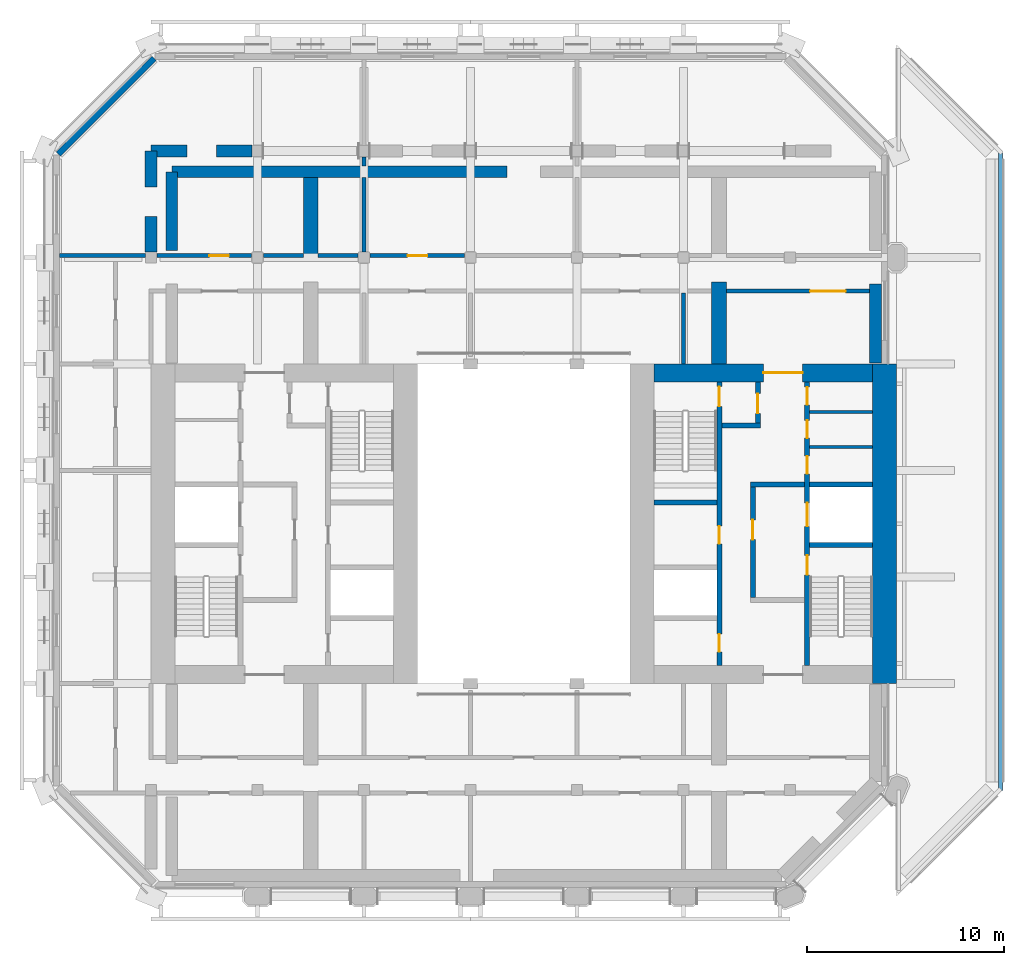
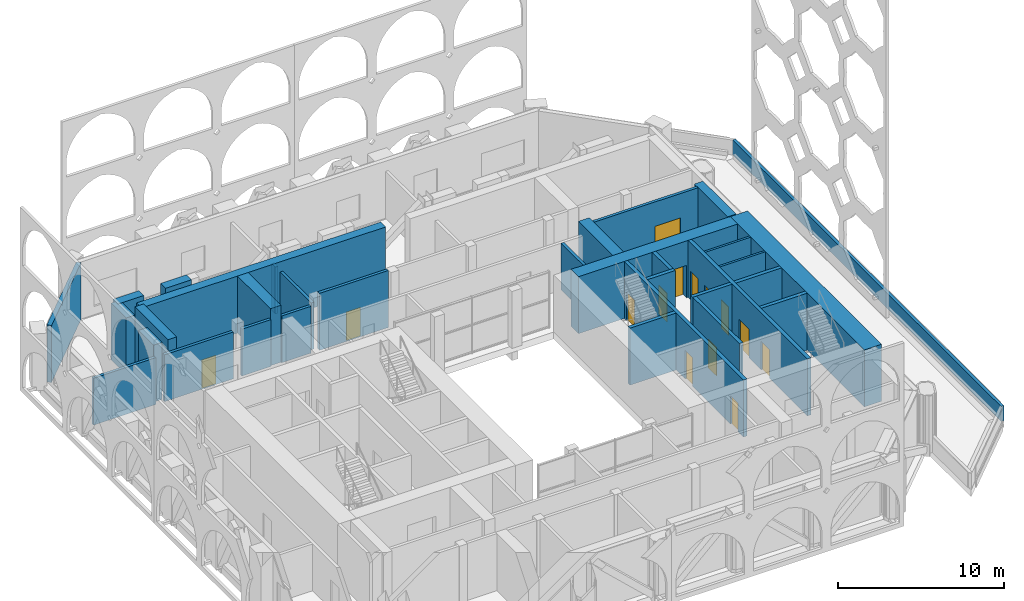
# One storey, part 9 of 16: 33 walls, 14 doors, 14 openings.
"""IFC4 building model written with IfcOpenShell, lengths in metres."""

from ifc_helpers import new_model, si_unit, direction, frame, frame_2d, origin, place, context, subcontext, project, spatial, polyline, rectangle, outline, extrude, material, layer, layer_set, type_object, element, fill, save


model = new_model("IFC4")

# Units and contexts
model_context = context("Model", 3, precision=1e-05, world=origin(), true_north=direction((0.0, 1.0)))
body_context = subcontext(model_context, "Body", "Model", "MODEL_VIEW")
ifc_project = project(units=[si_unit("LENGTHUNIT", "METRE"), si_unit("AREAUNIT", "SQUARE_METRE"), si_unit("VOLUMEUNIT", "CUBIC_METRE"), si_unit("PLANEANGLEUNIT", "RADIAN"), si_unit("MASSUNIT", "GRAM", prefix="KILO")], contexts=[model_context])

# Site, building, storey
site_placement = place(None, origin())
site = spatial("IfcSite", under=ifc_project, at=site_placement, CompositionType="ELEMENT")
building_placement = place(site_placement, origin())
building = spatial("IfcBuilding", under=site, at=building_placement, Name="Tabaq Tower and Sports Hall", CompositionType="ELEMENT")
storey_placement = place(building_placement, frame((0.0, 0.0, 308.199951171875)))
storey = spatial("IfcBuildingStorey", under=building, at=storey_placement, Name="L77", CompositionType="ELEMENT", Elevation=308.199951171875)

# Walls
ifc_material_1 = material(Name="Blockwork", Category="masonry")
ifc_layer_1 = layer(ifc_material_1, 0.14990234375)
ifc_layer_set_1 = layer_set([ifc_layer_1], Name="Core room partition 150 Blockwork")
wall_type_1 = type_object("IfcWallType", Name="Core room partition 150 Blockwork", PredefinedType="PARTITIONING", material=ifc_layer_set_1)
for number, where, z_axis, x_axis, name in (
    (1, (38.800048828125, 28.200927734375, 0.0), (0.0, 0.0, 1.0), (1.0, 0.0, 0.0), "Core room partition E L77"),
    (2, (38.800048828125, 29.97705078125, 0.0), (0.0, 0.0, 1.0), (1.0, 0.0, 0.0), "Core room partition E L77"),
):
    element("IfcWall", number, at=place(storey_placement, frame(where, z_axis=z_axis, x_axis=x_axis)), inside=storey, type_object=wall_type_1, Name=name, PredefinedType="PARTITIONING", context=body_context, shape_type="SweptSolid", body=[
        extrude(rectangle(XDim=3.199951171875, YDim=0.14990234375, at=frame_2d((1.60009765625, 0.0))), origin(), (0.0, 0.0, 1.0), 4.199951171875),
    ])
ifc_material_2 = material(Name="Concrete C40/50", Category="concrete")
ifc_layer_2 = layer(ifc_material_2, 1.199951171875)
ifc_layer_set_2 = layer_set([ifc_layer_2], Name="Core wall 1200 Concrete C40/50")
wall_type_2 = type_object("IfcWallType", Name="Core wall 1200 Concrete C40/50", PredefinedType="SOLIDWALL", material=ifc_layer_set_2)
wall_1_placement = place(storey_placement, frame((42.60009765625, 32.39990234375, 0.0), z_axis=(0.0, 0.0, 1.0), x_axis=(0.0, -1.0, 0.0)))
element("IfcWall", 3, at=wall_1_placement, inside=storey, type_object=wall_type_2, Name="Core wall E L77", PredefinedType="SOLIDWALL", context=body_context, shape_type="SweptSolid", body=[
    extrude(rectangle(XDim=16.199951171875, YDim=1.199951171875, at=frame_2d((8.10009765625, 0.0))), origin(), (0.0, 0.0, 1.0), 4.199951171875),
])

# Wall, opening, door
ifc_material_3 = material(Name="Concrete C40/50", Category="concrete")
ifc_layer_3 = layer(ifc_material_3, 0.89990234375)
ifc_layer_set_3 = layer_set([ifc_layer_3], Name="Core wall 900 Concrete C40/50")
wall_type_3 = type_object("IfcWallType", Name="Core wall 900 Concrete C40/50", PredefinedType="SOLIDWALL", material=ifc_layer_set_3)
wall_2_placement = place(storey_placement, frame((30.89990234375, 31.949951171875, 0.0), z_axis=(0.0, 0.0, 1.0), x_axis=(1.0, 0.0, 0.0)))
wall_2 = element("IfcWall", 4, at=wall_2_placement, inside=storey, type_object=wall_type_3, Name="Core wall E L77", PredefinedType="SOLIDWALL", context=body_context, shape_type="SweptSolid", body=[
    extrude(rectangle(XDim=11.10009765625, YDim=0.89990234375, at=frame_2d((5.550048828125, 0.0))), origin(), (0.0, 0.0, 1.0), 4.199951171875),
])
opening_1_placement = place(wall_2_placement, frame((5.550048828125, 0.0, 0.0)))
opening_1 = element("IfcOpeningElement", 5, at=opening_1_placement, cuts=wall_2, Name="Opening PD-EL77-02", PredefinedType="OPENING", context=body_context, shape_type="SweptSolid", body=[
    extrude(rectangle(XDim=2.0, YDim=2.39990234375, at=frame_2d((1.0, 1.199951171875))), frame((0.0, 0.449951171875, 0.0), z_axis=(0.0, -1.0, 0.0), x_axis=(1.0, 0.0, 0.0)), (0.0, 0.0, 1.0), 0.89990234375),
])
ifc_material_4 = material(Name="Steel fire door", Category="steel")
door_type_1 = type_object("IfcDoorType", Name="Core entrance door 2000", OperationType="DOUBLE_DOOR_SINGLE_SWING", PredefinedType="DOOR", material=ifc_material_4)
door_1_placement = place(opening_1_placement, origin())
door_1 = element("IfcDoor", 6, at=door_1_placement, inside=storey, type_object=door_type_1, Name="Core entrance north E L77", OperationType="DOUBLE_DOOR_SINGLE_SWING", OverallHeight=2.39990234375, OverallWidth=2.0, PredefinedType="DOOR", context=body_context, shape_type="SweptSolid", body=[
    extrude(rectangle(XDim=2.0, YDim=2.39990234375, at=frame_2d((1.0, 1.199951171875))), frame((0.0, 0.02490234375, 0.0), z_axis=(0.0, -1.0, 0.0), x_axis=(1.0, 0.0, 0.0)), (0.0, 0.0, 1.0), 0.050048828125),
])
fill(opening_1, door_1)

# Walls
ifc_material_5 = material(Name="Blockwork", Category="masonry")
ifc_layer_4 = layer(ifc_material_5, 0.199951171875)
ifc_layer_set_4 = layer_set([ifc_layer_4], Name="Fire compartment wall 200 Blockwork")
wall_type_4 = type_object("IfcWallType", Name="Fire compartment wall 200 Blockwork", PredefinedType="PARTITIONING", material=ifc_layer_set_4)
wall_3_placement = place(storey_placement, frame((16.199951171875, 42.905029296875, 0.0), z_axis=(0.0, 0.0, 1.0), x_axis=(0.0, -1.0, 0.0)))
element("IfcWall", 7, at=wall_3_placement, inside=storey, type_object=wall_type_4, Name="Compartment wall L77", PredefinedType="PARTITIONING", context=body_context, shape_type="SweptSolid", body=[
    extrude(rectangle(XDim=0.4541015625, YDim=0.199951171875, at=frame_2d((0.22705078125, 0.0))), origin(), (0.0, 0.0, 1.0), 3.449951171875),
])
wall_4_placement = place(storey_placement, frame((16.199951171875, 41.84912109375, 0.0), z_axis=(0.0, 0.0, 1.0), x_axis=(0.0, -1.0, 0.0)))
element("IfcWall", 8, at=wall_4_placement, inside=storey, type_object=wall_type_4, Name="Compartment wall L77", PredefinedType="PARTITIONING", context=body_context, shape_type="SweptSolid", body=[
    extrude(rectangle(XDim=3.754150390625, YDim=0.199951171875, at=frame_2d((1.876953125, 0.0))), origin(), (0.0, 0.0, 1.0), 3.449951171875),
])

# Wall, opening, door
wall_5_placement = place(storey_placement, frame((16.4951171875, 37.89990234375, 0.0), z_axis=(0.0, 0.0, 1.0), x_axis=(1.0, 0.0, 0.0)))
wall_5 = element("IfcWall", 9, at=wall_5_placement, inside=storey, type_object=wall_type_4, Name="Compartment wall L77", PredefinedType="PARTITIONING", context=body_context, shape_type="SweptSolid", body=[
    extrude(rectangle(XDim=4.809814453125, YDim=0.199951171875, at=frame_2d((2.40478515625, 0.0))), origin(), (0.0, 0.0, 1.0), 4.199951171875),
])
opening_2_placement = place(wall_5_placement, frame((1.922119140625, 0.0, 0.0)))
opening_2 = element("IfcOpeningElement", 10, at=opening_2_placement, cuts=wall_5, Name="Opening L77-003", PredefinedType="OPENING", context=body_context, shape_type="SweptSolid", body=[
    extrude(rectangle(XDim=1.0, YDim=2.10009765625, at=frame_2d((0.5, 1.050048828125))), frame((0.0, 0.10009765625, 0.0), z_axis=(0.0, -1.0, 0.0), x_axis=(1.0, 0.0, 0.0)), (0.0, 0.0, 1.0), 0.199951171875),
])
ifc_material_6 = material(Name="Steel fire door", Category="steel")
door_type_2 = type_object("IfcDoorType", Name="Plant room door 1000 left hand", OperationType="SINGLE_SWING_LEFT", PredefinedType="DOOR", material=ifc_material_6)
door_2_placement = place(opening_2_placement, origin())
door_2 = element("IfcDoor", 11, at=door_2_placement, inside=storey, type_object=door_type_2, Name="Plant room door L77-003", OperationType="SINGLE_SWING_LEFT", OverallHeight=2.10009765625, OverallWidth=1.0, PredefinedType="DOOR", context=body_context, shape_type="SweptSolid", body=[
    extrude(rectangle(XDim=1.0, YDim=2.10009765625, at=frame_2d((0.5, 1.050048828125))), frame((0.0, 0.02490234375, 0.0), z_axis=(0.0, -1.0, 0.0), x_axis=(1.0, 0.0, 0.0)), (0.0, 0.0, 1.0), 0.050048828125),
])
fill(opening_2, door_2)

# Wall
wall_6_placement = place(storey_placement, frame((5.10498046875, 37.89990234375, 0.0), z_axis=(0.0, 0.0, 1.0), x_axis=(-1.0, 0.0, 0.0)))
element("IfcWall", 12, at=wall_6_placement, inside=storey, type_object=wall_type_4, Name="Compartment wall L77", PredefinedType="PARTITIONING", context=body_context, shape_type="SweptSolid", body=[
    extrude(rectangle(XDim=4.35400390625, YDim=0.199951171875, at=frame_2d((2.177001953125, 0.0))), origin(), (0.0, 0.0, 1.0), 3.449951171875),
])

# Wall, opening, door
wall_7_placement = place(storey_placement, frame((5.695068359375, 37.89990234375, 0.0), z_axis=(0.0, 0.0, 1.0), x_axis=(1.0, 0.0, 0.0)))
wall_7 = element("IfcWall", 13, at=wall_7_placement, inside=storey, type_object=wall_type_4, Name="Compartment wall L77", PredefinedType="PARTITIONING", context=body_context, shape_type="SweptSolid", body=[
    extrude(rectangle(XDim=4.809814453125, YDim=0.199951171875, at=frame_2d((2.40478515625, 0.0))), origin(), (0.0, 0.0, 1.0), 3.449951171875),
])
opening_3_placement = place(wall_7_placement, frame((2.655029296875, 0.0, 0.0)))
opening_3 = element("IfcOpeningElement", 14, at=opening_3_placement, cuts=wall_7, Name="Opening L77-004", PredefinedType="OPENING", context=body_context, shape_type="SweptSolid", body=[
    extrude(rectangle(XDim=1.0, YDim=2.10009765625, at=frame_2d((0.5, 1.050048828125))), frame((0.0, 0.10009765625, 0.0), z_axis=(0.0, -1.0, 0.0), x_axis=(1.0, 0.0, 0.0)), (0.0, 0.0, 1.0), 0.199951171875),
])
door_3_placement = place(opening_3_placement, origin())
door_3 = element("IfcDoor", 15, at=door_3_placement, inside=storey, type_object=door_type_2, Name="Plant room door L77-004", OperationType="SINGLE_SWING_LEFT", OverallHeight=2.10009765625, OverallWidth=1.0, PredefinedType="DOOR", context=body_context, shape_type="SweptSolid", body=[
    extrude(rectangle(XDim=1.0, YDim=2.10009765625, at=frame_2d((0.5, 1.050048828125))), frame((0.0, 0.02490234375, 0.0), z_axis=(0.0, -1.0, 0.0), x_axis=(1.0, 0.0, 0.0)), (0.0, 0.0, 1.0), 0.050048828125),
])
fill(opening_3, door_3)

# Walls
for number, where, z_axis, x_axis, name in (
    (16, (11.094970703125, 37.89990234375, 0.0), (0.0, 0.0, 1.0), (1.0, 0.0, 0.0), "Compartment wall L77"),
    (17, (13.8759765625, 37.89990234375, 0.0), (0.0, 0.0, 1.0), (1.0, 0.0, 0.0), "Compartment wall L77"),
):
    element("IfcWall", number, at=place(storey_placement, frame(where, z_axis=z_axis, x_axis=x_axis)), inside=storey, type_object=wall_type_4, Name=name, PredefinedType="PARTITIONING", context=body_context, shape_type="SweptSolid", body=[
        extrude(rectangle(XDim=2.029052734375, YDim=0.199951171875, at=frame_2d((1.0146484375, 0.0))), origin(), (0.0, 0.0, 1.0), 3.449951171875),
    ])
wall_8_placement = place(storey_placement, frame((32.39990234375, 32.39990234375, 0.0), z_axis=(0.0, 0.0, 1.0), x_axis=(0.0, 1.0, 0.0)))
element("IfcWall", 18, at=wall_8_placement, inside=storey, type_object=wall_type_4, Name="Compartment wall L77", PredefinedType="PARTITIONING", context=body_context, shape_type="SweptSolid", body=[
    extrude(rectangle(XDim=3.60009765625, YDim=0.199951171875, at=frame_2d((1.800048828125, 0.0))), origin(), (0.0, 0.0, 1.0), 3.449951171875),
])

# Wall, opening, door
wall_9_placement = place(storey_placement, frame((41.84912109375, 36.10009765625, 0.0), z_axis=(0.0, 0.0, 1.0), x_axis=(-1.0, 0.0, 0.0)))
wall_9 = element("IfcWall", 19, at=wall_9_placement, inside=storey, type_object=wall_type_4, Name="Compartment wall L77", PredefinedType="PARTITIONING", context=body_context, shape_type="SweptSolid", body=[
    extrude(rectangle(XDim=7.273193359375, YDim=0.199951171875, at=frame_2d((3.63671875, 0.0))), origin(), (0.0, 0.0, 1.0), 4.199951171875),
])
opening_4_placement = place(wall_9_placement, frame((1.220947265625, 0.0, 0.0)))
opening_4 = element("IfcOpeningElement", 20, at=opening_4_placement, cuts=wall_9, Name="Opening L77-017", PredefinedType="OPENING", context=body_context, shape_type="SweptSolid", body=[
    extrude(rectangle(XDim=1.800048828125, YDim=2.39990234375, at=frame_2d((0.89990234375, 1.199951171875))), frame((0.0, 0.10009765625, 0.0), z_axis=(0.0, -1.0, 0.0), x_axis=(1.0, 0.0, 0.0)), (0.0, 0.0, 1.0), 0.199951171875),
])
ifc_material_7 = material(Name="Steel fire door", Category="steel")
door_type_3 = type_object("IfcDoorType", Name="Plant room door 1800", OperationType="DOUBLE_DOOR_SINGLE_SWING", PredefinedType="DOOR", material=ifc_material_7)
door_4_placement = place(opening_4_placement, origin())
door_4 = element("IfcDoor", 21, at=door_4_placement, inside=storey, type_object=door_type_3, Name="Plant room door L77-017", OperationType="DOUBLE_DOOR_SINGLE_SWING", OverallHeight=2.39990234375, OverallWidth=1.800048828125, PredefinedType="DOOR", context=body_context, shape_type="SweptSolid", body=[
    extrude(rectangle(XDim=1.800048828125, YDim=2.39990234375, at=frame_2d((0.89990234375, 1.199951171875))), frame((0.0, 0.02490234375, 0.0), z_axis=(0.0, -1.0, 0.0), x_axis=(1.0, 0.0, 0.0)), (0.0, 0.0, 1.0), 0.050048828125),
])
fill(opening_4, door_4)

# Walls
ifc_material_8 = material(Name="Concrete C40/50", Category="concrete")
ifc_layer_5 = layer(ifc_material_8, 0.60009765625)
ifc_layer_set_5 = layer_set([ifc_layer_5], Name="RC BELT WALL 600 C40/50")
wall_type_5 = type_object("IfcWallType", Name="RC BELT WALL 600 C40/50", PredefinedType="SHEAR", material=ifc_layer_set_5)
wall_10_placement = place(storey_placement, frame((6.449951171875, 38.14990234375, 0.0), z_axis=(0.0, 0.0, 1.0), x_axis=(0.0, 1.0, 0.0)))
element("IfcWall", 22, at=wall_10_placement, inside=storey, type_object=wall_type_5, Name="Belt Wall L77 4", PredefinedType="SHEAR", context=body_context, shape_type="SweptSolid", body=[
    extrude(rectangle(XDim=4.0, YDim=0.60009765625, at=frame_2d((2.0, 0.0))), origin(), (0.0, 0.0, 1.0), 4.199951171875),
])
wall_11_placement = place(storey_placement, frame((6.449951171875, 42.14990234375, 0.0), z_axis=(0.0, 0.0, 1.0), x_axis=(1.0, 0.0, 0.0)))
element("IfcWall", 23, at=wall_11_placement, inside=storey, type_object=wall_type_5, Name="Belt Wall L77 5", PredefinedType="SHEAR", context=body_context, shape_type="SweptSolid", body=[
    extrude(rectangle(XDim=17.0, YDim=0.60009765625, at=frame_2d((8.5, 0.0))), origin(), (0.0, 0.0, 1.0), 4.199951171875),
])
wall_12_placement = place(storey_placement, frame((42.14990234375, 36.449951171875, 0.0), z_axis=(0.0, 0.0, 1.0), x_axis=(0.0, -1.0, 0.0)))
element("IfcWall", 24, at=wall_12_placement, inside=storey, type_object=wall_type_5, Name="Belt Wall L77 8", PredefinedType="SHEAR", context=body_context, shape_type="SweptSolid", body=[
    extrude(rectangle(XDim=4.0, YDim=0.60009765625, at=frame_2d((2.0, 0.0))), origin(), (0.0, 0.0, 1.0), 4.199951171875),
])
ifc_material_9 = material(Name="Concrete C40/50", Category="concrete")
ifc_layer_6 = layer(ifc_material_9, 0.75)
ifc_layer_set_6 = layer_set([ifc_layer_6], Name="RC OUTRIGGER WALL 750 C40/50")
wall_type_6 = type_object("IfcWallType", Name="RC OUTRIGGER WALL 750 C40/50", PredefinedType="SHEAR", material=ifc_layer_set_6)
wall_13_placement = place(storey_placement, frame((13.5, 37.875, 0.0), z_axis=(0.0, 0.0, 1.0), x_axis=(0.0, 1.0, 0.0)))
element("IfcWall", 25, at=wall_13_placement, inside=storey, type_object=wall_type_6, Name="Outrigger Wall L77 4", PredefinedType="SHEAR", context=body_context, shape_type="SweptSolid", body=[
    extrude(rectangle(XDim=3.97509765625, YDim=0.75, at=frame_2d((1.987548828125, 0.0))), origin(), (0.0, 0.0, 1.0), 4.199951171875),
])
wall_14_placement = place(storey_placement, frame((34.199951171875, 32.39990234375, 0.0), z_axis=(0.0, 0.0, 1.0), x_axis=(0.0, 1.0, 0.0)))
element("IfcWall", 26, at=wall_14_placement, inside=storey, type_object=wall_type_6, Name="Outrigger Wall L77 7", PredefinedType="SHEAR", context=body_context, shape_type="SweptSolid", body=[
    extrude(rectangle(XDim=4.150146484375, YDim=0.75, at=frame_2d((2.0751953125, 0.0))), origin(), (0.0, 0.0, 1.0), 4.199951171875),
])
ifc_material_10 = material(Name="Concrete C40/50", Category="concrete")
ifc_layer_7 = layer(ifc_material_10, 0.60009765625)
ifc_layer_set_7 = layer_set([ifc_layer_7], Name="RC TRANSFER WALL 600 C40/50")
wall_type_7 = type_object("IfcWallType", Name="RC TRANSFER WALL 600 C40/50", PredefinedType="SHEAR", material=ifc_layer_set_7)
for number, where, z_axis, x_axis, name in (
    (27, (5.39990234375, 38.074951171875, 0.0), (0.0, 0.0, 1.0), (0.0, 1.0, 0.0), "Transfer Wall L77 West 2"),
    (28, (5.39990234375, 41.387451171875, 0.0), (0.0, 0.0, 1.0), (0.0, 1.0, 0.0), "Transfer Wall L77 West 3"),
    (29, (5.39990234375, 43.199951171875, 0.0), (0.0, 0.0, 1.0), (1.0, 0.0, 0.0), "Transfer Wall L77 North 4"),
    (30, (8.71240234375, 43.199951171875, 0.0), (0.0, 0.0, 1.0), (1.0, 0.0, 0.0), "Transfer Wall L77 North 5"),
):
    element("IfcWall", number, at=place(storey_placement, frame(where, z_axis=z_axis, x_axis=x_axis)), inside=storey, type_object=wall_type_7, Name=name, PredefinedType="SHEAR", context=body_context, shape_type="SweptSolid", body=[
        extrude(rectangle(XDim=1.8125, YDim=0.60009765625, at=frame_2d((0.90625, 0.0))), origin(), (0.0, 0.0, 1.0), 4.199951171875),
    ])

# Wall, openings, doors
ifc_material_11 = material(Name="Concrete C40/50", Category="concrete")
ifc_layer_8 = layer(ifc_material_11, 0.25)
ifc_layer_set_8 = layer_set([ifc_layer_8], Name="Shaft and stair wall 250 Concrete C40/50")
wall_type_8 = type_object("IfcWallType", Name="Shaft and stair wall 250 Concrete C40/50", PredefinedType="SOLIDWALL", material=ifc_layer_set_8)
wall_15_placement = place(storey_placement, frame((38.675048828125, 17.10009765625, 0.0), z_axis=(0.0, 0.0, 1.0), x_axis=(0.0, 1.0, 0.0)))
wall_15 = element("IfcWall", 31, at=wall_15_placement, inside=storey, type_object=wall_type_8, Name="Shaft wall E L77", PredefinedType="SOLIDWALL", context=body_context, shape_type="SweptSolid", body=[
    extrude(rectangle(XDim=14.39990234375, YDim=0.25, at=frame_2d((7.199951171875, 0.0))), origin(), (0.0, 0.0, 1.0), 4.199951171875),
])
opening_5_placement = place(wall_15_placement, frame((4.60009765625, 0.0, 0.0)))
opening_5 = element("IfcOpeningElement", 32, at=opening_5_placement, cuts=wall_15, Name="Opening SD-EL77-03", PredefinedType="OPENING", context=body_context, shape_type="SweptSolid", body=[
    extrude(rectangle(XDim=1.0, YDim=2.10009765625, at=frame_2d((0.5, 1.050048828125))), frame((0.0, 0.125, 0.0), z_axis=(0.0, -1.0, 0.0), x_axis=(1.0, 0.0, 0.0)), (0.0, 0.0, 1.0), 0.25),
])
opening_6_placement = place(wall_15_placement, frame((7.0625, 0.0, 0.0)))
opening_6 = element("IfcOpeningElement", 33, at=opening_6_placement, cuts=wall_15, Name="Opening LD-FF2-L77", PredefinedType="OPENING", context=body_context, shape_type="SweptSolid", body=[
    extrude(rectangle(XDim=1.199951171875, YDim=2.10009765625, at=frame_2d((0.60009765625, 1.050048828125))), frame((0.0, 0.125, 0.0), z_axis=(0.0, -1.0, 0.0), x_axis=(1.0, 0.0, 0.0)), (0.0, 0.0, 1.0), 0.25),
])
opening_7_placement = place(wall_15_placement, frame((9.7255859375, 0.0, 0.0)))
opening_7 = element("IfcOpeningElement", 34, at=opening_7_placement, cuts=wall_15, Name="Opening RD-EL77-08", PredefinedType="OPENING", context=body_context, shape_type="SweptSolid", body=[
    extrude(rectangle(XDim=0.89990234375, YDim=2.10009765625, at=frame_2d((0.449951171875, 1.050048828125))), frame((0.0, 0.125, 0.0), z_axis=(0.0, -1.0, 0.0), x_axis=(1.0, 0.0, 0.0)), (0.0, 0.0, 1.0), 0.25),
])
opening_8_placement = place(wall_15_placement, frame((11.5390625, 0.0, 0.0)))
opening_8 = element("IfcOpeningElement", 35, at=opening_8_placement, cuts=wall_15, Name="Opening RD-EL77-09", PredefinedType="OPENING", context=body_context, shape_type="SweptSolid", body=[
    extrude(rectangle(XDim=0.89990234375, YDim=2.10009765625, at=frame_2d((0.449951171875, 1.050048828125))), frame((0.0, 0.125, 0.0), z_axis=(0.0, -1.0, 0.0), x_axis=(1.0, 0.0, 0.0)), (0.0, 0.0, 1.0), 0.25),
])
opening_9_placement = place(wall_15_placement, frame((13.22607421875, 0.0, 0.0)))
opening_9 = element("IfcOpeningElement", 36, at=opening_9_placement, cuts=wall_15, Name="Opening RD-EL77-10", PredefinedType="OPENING", context=body_context, shape_type="SweptSolid", body=[
    extrude(rectangle(XDim=0.89990234375, YDim=2.10009765625, at=frame_2d((0.449951171875, 1.050048828125))), frame((0.0, 0.125, 0.0), z_axis=(0.0, -1.0, 0.0), x_axis=(1.0, 0.0, 0.0)), (0.0, 0.0, 1.0), 0.25),
])
ifc_material_12 = material(Name="Steel fire door", Category="steel")
door_type_4 = type_object("IfcDoorType", Name="Core room door 900", OperationType="SINGLE_SWING_LEFT", PredefinedType="DOOR", material=ifc_material_12)
door_5_placement = place(opening_7_placement, origin())
door_5 = element("IfcDoor", 37, at=door_5_placement, inside=storey, type_object=door_type_4, Name="Door Plant Room E L77", OperationType="SINGLE_SWING_LEFT", OverallHeight=2.10009765625, OverallWidth=0.89990234375, PredefinedType="DOOR", context=body_context, shape_type="SweptSolid", body=[
    extrude(rectangle(XDim=0.89990234375, YDim=2.10009765625, at=frame_2d((0.449951171875, 1.050048828125))), frame((0.0, 0.02490234375, 0.0), z_axis=(0.0, -1.0, 0.0), x_axis=(1.0, 0.0, 0.0)), (0.0, 0.0, 1.0), 0.050048828125),
])
fill(opening_7, door_5)
door_6_placement = place(opening_8_placement, origin())
door_6 = element("IfcDoor", 38, at=door_6_placement, inside=storey, type_object=door_type_4, Name="Door Plant Control Room E L77", OperationType="SINGLE_SWING_LEFT", OverallHeight=2.10009765625, OverallWidth=0.89990234375, PredefinedType="DOOR", context=body_context, shape_type="SweptSolid", body=[
    extrude(rectangle(XDim=0.89990234375, YDim=2.10009765625, at=frame_2d((0.449951171875, 1.050048828125))), frame((0.0, 0.02490234375, 0.0), z_axis=(0.0, -1.0, 0.0), x_axis=(1.0, 0.0, 0.0)), (0.0, 0.0, 1.0), 0.050048828125),
])
fill(opening_8, door_6)
door_7_placement = place(opening_9_placement, origin())
door_7 = element("IfcDoor", 39, at=door_7_placement, inside=storey, type_object=door_type_4, Name="Door Riser Room E L77", OperationType="SINGLE_SWING_LEFT", OverallHeight=2.10009765625, OverallWidth=0.89990234375, PredefinedType="DOOR", context=body_context, shape_type="SweptSolid", body=[
    extrude(rectangle(XDim=0.89990234375, YDim=2.10009765625, at=frame_2d((0.449951171875, 1.050048828125))), frame((0.0, 0.02490234375, 0.0), z_axis=(0.0, -1.0, 0.0), x_axis=(1.0, 0.0, 0.0)), (0.0, 0.0, 1.0), 0.050048828125),
])
fill(opening_9, door_7)
ifc_material_13 = material(Name="Stainless steel", Category="steel")
door_type_5 = type_object("IfcDoorType", Name="Lift landing door 1200", OperationType="DOUBLE_DOOR_SLIDING", PredefinedType="DOOR", material=ifc_material_13)
door_8_placement = place(opening_6_placement, origin())
door_8 = element("IfcDoor", 40, at=door_8_placement, inside=storey, type_object=door_type_5, Name="Lift landing door FF2 E L77", OperationType="DOUBLE_DOOR_SLIDING", OverallHeight=2.10009765625, OverallWidth=1.199951171875, PredefinedType="DOOR", context=body_context, shape_type="SweptSolid", body=[
    extrude(rectangle(XDim=1.199951171875, YDim=2.10009765625, at=frame_2d((0.60009765625, 1.050048828125))), frame((0.0, 0.02490234375, 0.0), z_axis=(0.0, -1.0, 0.0), x_axis=(1.0, 0.0, 0.0)), (0.0, 0.0, 1.0), 0.050048828125),
])
fill(opening_6, door_8)
ifc_material_14 = material(Name="Steel fire door", Category="steel")
door_type_6 = type_object("IfcDoorType", Name="Stair door 1000", OperationType="SINGLE_SWING_LEFT", PredefinedType="DOOR", material=ifc_material_14)
door_9_placement = place(opening_5_placement, origin())
door_9 = element("IfcDoor", 41, at=door_9_placement, inside=storey, type_object=door_type_6, Name="Stair door ST3 E L77", OperationType="SINGLE_SWING_LEFT", OverallHeight=2.10009765625, OverallWidth=1.0, PredefinedType="DOOR", context=body_context, shape_type="SweptSolid", body=[
    extrude(rectangle(XDim=1.0, YDim=2.10009765625, at=frame_2d((0.5, 1.050048828125))), frame((0.0, 0.02490234375, 0.0), z_axis=(0.0, -1.0, 0.0), x_axis=(1.0, 0.0, 0.0)), (0.0, 0.0, 1.0), 0.050048828125),
])
fill(opening_5, door_9)

wall_16_placement = place(storey_placement, frame((34.22509765625, 17.10009765625, 0.0), z_axis=(0.0, 0.0, 1.0), x_axis=(0.0, 1.0, 0.0)))
wall_16 = element("IfcWall", 42, at=wall_16_placement, inside=storey, type_object=wall_type_8, Name="Shaft wall E L77", PredefinedType="SOLIDWALL", context=body_context, shape_type="SweptSolid", body=[
    extrude(rectangle(XDim=14.39990234375, YDim=0.25, at=frame_2d((7.199951171875, 0.0))), origin(), (0.0, 0.0, 1.0), 4.199951171875),
])
opening_10_placement = place(wall_16_placement, frame((13.14990234375, 0.0, 0.0)))
opening_10 = element("IfcOpeningElement", 43, at=opening_10_placement, cuts=wall_16, Name="Opening SD-EL77-05", PredefinedType="OPENING", context=body_context, shape_type="SweptSolid", body=[
    extrude(rectangle(XDim=1.0, YDim=2.10009765625, at=frame_2d((0.5, 1.050048828125))), frame((0.0, 0.125, 0.0), z_axis=(0.0, -1.0, 0.0), x_axis=(1.0, 0.0, 0.0)), (0.0, 0.0, 1.0), 0.25),
])
opening_11_placement = place(wall_16_placement, frame((0.699951171875, 0.0, 0.0)))
opening_11 = element("IfcOpeningElement", 44, at=opening_11_placement, cuts=wall_16, Name="Opening RD-EL77-11", PredefinedType="OPENING", context=body_context, shape_type="SweptSolid", body=[
    extrude(rectangle(XDim=0.89990234375, YDim=2.10009765625, at=frame_2d((0.449951171875, 1.050048828125))), frame((0.0, 0.125, 0.0), z_axis=(0.0, -1.0, 0.0), x_axis=(1.0, 0.0, 0.0)), (0.0, 0.0, 1.0), 0.25),
])
opening_12_placement = place(wall_16_placement, frame((6.175048828125, 0.0, 0.0)))
opening_12 = element("IfcOpeningElement", 45, at=opening_12_placement, cuts=wall_16, Name="Opening RD-EL77-12", PredefinedType="OPENING", context=body_context, shape_type="SweptSolid", body=[
    extrude(rectangle(XDim=0.89990234375, YDim=2.10009765625, at=frame_2d((0.449951171875, 1.050048828125))), frame((0.0, 0.125, 0.0), z_axis=(0.0, -1.0, 0.0), x_axis=(1.0, 0.0, 0.0)), (0.0, 0.0, 1.0), 0.25),
])
door_10_placement = place(opening_11_placement, origin())
door_10 = element("IfcDoor", 46, at=door_10_placement, inside=storey, type_object=door_type_4, Name="Door Electrical Riser Room E L77", OperationType="SINGLE_SWING_LEFT", OverallHeight=2.10009765625, OverallWidth=0.89990234375, PredefinedType="DOOR", context=body_context, shape_type="SweptSolid", body=[
    extrude(rectangle(XDim=0.89990234375, YDim=2.10009765625, at=frame_2d((0.449951171875, 1.050048828125))), frame((0.0, 0.02490234375, 0.0), z_axis=(0.0, -1.0, 0.0), x_axis=(1.0, 0.0, 0.0)), (0.0, 0.0, 1.0), 0.050048828125),
])
fill(opening_11, door_10)
door_11_placement = place(opening_12_placement, origin())
door_11 = element("IfcDoor", 47, at=door_11_placement, inside=storey, type_object=door_type_4, Name="Door Riser Room E L77", OperationType="SINGLE_SWING_LEFT", OverallHeight=2.10009765625, OverallWidth=0.89990234375, PredefinedType="DOOR", context=body_context, shape_type="SweptSolid", body=[
    extrude(rectangle(XDim=0.89990234375, YDim=2.10009765625, at=frame_2d((0.449951171875, 1.050048828125))), frame((0.0, 0.02490234375, 0.0), z_axis=(0.0, -1.0, 0.0), x_axis=(1.0, 0.0, 0.0)), (0.0, 0.0, 1.0), 0.050048828125),
])
fill(opening_12, door_11)
door_12_placement = place(opening_10_placement, origin())
door_12 = element("IfcDoor", 48, at=door_12_placement, inside=storey, type_object=door_type_6, Name="Stair door ST4 E L77", OperationType="SINGLE_SWING_LEFT", OverallHeight=2.10009765625, OverallWidth=1.0, PredefinedType="DOOR", context=body_context, shape_type="SweptSolid", body=[
    extrude(rectangle(XDim=1.0, YDim=2.10009765625, at=frame_2d((0.5, 1.050048828125))), frame((0.0, 0.02490234375, 0.0), z_axis=(0.0, -1.0, 0.0), x_axis=(1.0, 0.0, 0.0)), (0.0, 0.0, 1.0), 0.050048828125),
])
fill(opening_10, door_12)

# Walls
wall_17_placement = place(storey_placement, frame((38.800048828125, 23.22509765625, 0.0), z_axis=(0.0, 0.0, 1.0), x_axis=(1.0, 0.0, 0.0)))
element("IfcWall", 49, at=wall_17_placement, inside=storey, type_object=wall_type_8, Name="Stair enclosure wall E L77", PredefinedType="SOLIDWALL", context=body_context, shape_type="SweptSolid", body=[
    extrude(rectangle(XDim=3.199951171875, YDim=0.25, at=frame_2d((1.60009765625, 0.0))), origin(), (0.0, 0.0, 1.0), 4.199951171875),
])
wall_18_placement = place(storey_placement, frame((30.89990234375, 25.375, 0.0), z_axis=(0.0, 0.0, 1.0), x_axis=(1.0, 0.0, 0.0)))
element("IfcWall", 50, at=wall_18_placement, inside=storey, type_object=wall_type_8, Name="Stair enclosure wall E L77", PredefinedType="SOLIDWALL", context=body_context, shape_type="SweptSolid", body=[
    extrude(rectangle(XDim=3.2001953125, YDim=0.25, at=frame_2d((1.60009765625, 0.0))), origin(), (0.0, 0.0, 1.0), 4.199951171875),
])
wall_19_placement = place(storey_placement, frame((38.800048828125, 26.300048828125, 0.0), z_axis=(0.0, 0.0, 1.0), x_axis=(1.0, 0.0, 0.0)))
element("IfcWall", 51, at=wall_19_placement, inside=storey, type_object=wall_type_8, Name="Shaft wall E L77", PredefinedType="SOLIDWALL", context=body_context, shape_type="SweptSolid", body=[
    extrude(rectangle(XDim=3.199951171875, YDim=0.25, at=frame_2d((1.60009765625, 0.0))), origin(), (0.0, 0.0, 1.0), 4.199951171875),
])
wall_20_placement = place(storey_placement, frame((35.800048828125, 26.300048828125, 0.0), z_axis=(0.0, 0.0, 1.0), x_axis=(1.0, 0.0, 0.0)))
element("IfcWall", 52, at=wall_20_placement, inside=storey, type_object=wall_type_8, Name="Fire-fighting lobby wall E L77", PredefinedType="SOLIDWALL", context=body_context, shape_type="SweptSolid", body=[
    extrude(rectangle(XDim=2.75, YDim=0.25, at=frame_2d((1.375, 0.0))), origin(), (0.0, 0.0, 1.0), 4.199951171875),
])

# Wall, opening, door
wall_21_placement = place(storey_placement, frame((36.175048828125, 29.39990234375, 0.0), z_axis=(0.0, 0.0, 1.0), x_axis=(0.0, 1.0, 0.0)))
wall_21 = element("IfcWall", 53, at=wall_21_placement, inside=storey, type_object=wall_type_8, Name="Fire-fighting lobby wall E L77", PredefinedType="SOLIDWALL", context=body_context, shape_type="SweptSolid", body=[
    extrude(rectangle(XDim=2.10009765625, YDim=0.25, at=frame_2d((1.050048828125, 0.0))), origin(), (0.0, 0.0, 1.0), 4.199951171875),
])
opening_13_placement = place(wall_21_placement, frame((0.5, 0.0, 0.0)))
opening_13 = element("IfcOpeningElement", 54, at=opening_13_placement, cuts=wall_21, Name="Opening FD-EL77-06", PredefinedType="OPENING", context=body_context, shape_type="SweptSolid", body=[
    extrude(rectangle(XDim=1.0, YDim=2.10009765625, at=frame_2d((0.5, 1.050048828125))), frame((0.0, 0.125, 0.0), z_axis=(0.0, -1.0, 0.0), x_axis=(1.0, 0.0, 0.0)), (0.0, 0.0, 1.0), 0.25),
])
ifc_material_15 = material(Name="Steel fire door", Category="steel")
door_type_7 = type_object("IfcDoorType", Name="Fire-fighting lobby door 1000", OperationType="SINGLE_SWING_LEFT", PredefinedType="DOOR", material=ifc_material_15)
door_13_placement = place(opening_13_placement, origin())
door_13 = element("IfcDoor", 55, at=door_13_placement, inside=storey, type_object=door_type_7, Name="Stair lobby door E L77", OperationType="SINGLE_SWING_LEFT", OverallHeight=2.10009765625, OverallWidth=1.0, PredefinedType="DOOR", context=body_context, shape_type="SweptSolid", body=[
    extrude(rectangle(XDim=1.0, YDim=2.10009765625, at=frame_2d((0.5, 1.050048828125))), frame((0.0, 0.02490234375, 0.0), z_axis=(0.0, -1.0, 0.0), x_axis=(1.0, 0.0, 0.0)), (0.0, 0.0, 1.0), 0.050048828125),
])
fill(opening_13, door_13)

# Wall
wall_22_placement = place(storey_placement, frame((34.35009765625, 29.27490234375, 0.0), z_axis=(0.0, 0.0, 1.0), x_axis=(1.0, 0.0, 0.0)))
element("IfcWall", 56, at=wall_22_placement, inside=storey, type_object=wall_type_8, Name="Fire-fighting lobby wall E L77", PredefinedType="SOLIDWALL", context=body_context, shape_type="SweptSolid", body=[
    extrude(rectangle(XDim=1.949951171875, YDim=0.25, at=frame_2d((0.97509765625, 0.0))), origin(), (0.0, 0.0, 1.0), 4.199951171875),
])

# Wall, opening, door
wall_23_placement = place(storey_placement, frame((35.925048828125, 20.550048828125, 0.0), z_axis=(0.0, 0.0, 1.0), x_axis=(0.0, 1.0, 0.0)))
wall_23 = element("IfcWall", 57, at=wall_23_placement, inside=storey, type_object=wall_type_8, Name="Fire-fighting lobby wall E L77", PredefinedType="SOLIDWALL", context=body_context, shape_type="SweptSolid", body=[
    extrude(rectangle(XDim=5.625, YDim=0.25, at=frame_2d((2.8125, 0.0))), origin(), (0.0, 0.0, 1.0), 4.199951171875),
])
opening_14_placement = place(wall_23_placement, frame((2.949951171875, 0.0, 0.0)))
opening_14 = element("IfcOpeningElement", 58, at=opening_14_placement, cuts=wall_23, Name="Opening FD-EL77-04", PredefinedType="OPENING", context=body_context, shape_type="SweptSolid", body=[
    extrude(rectangle(XDim=1.0, YDim=2.10009765625, at=frame_2d((0.5, 1.050048828125))), frame((0.0, 0.125, 0.0), z_axis=(0.0, -1.0, 0.0), x_axis=(1.0, 0.0, 0.0)), (0.0, 0.0, 1.0), 0.25),
])
door_14_placement = place(opening_14_placement, origin())
door_14 = element("IfcDoor", 59, at=door_14_placement, inside=storey, type_object=door_type_7, Name="Fire-fighting lobby door E L77", OperationType="SINGLE_SWING_LEFT", OverallHeight=2.10009765625, OverallWidth=1.0, PredefinedType="DOOR", context=body_context, shape_type="SweptSolid", body=[
    extrude(rectangle(XDim=1.0, YDim=2.10009765625, at=frame_2d((0.5, 1.050048828125))), frame((0.0, 0.02490234375, 0.0), z_axis=(0.0, -1.0, 0.0), x_axis=(1.0, 0.0, 0.0)), (0.0, 0.0, 1.0), 0.050048828125),
])
fill(opening_14, door_14)

# Walls
ifc_material_16 = material(Name="White precast concrete C60/75", Category="concrete")
ifc_layer_9 = layer(ifc_material_16, 0.300048828125)
ifc_layer_set_9 = layer_set([ifc_layer_9], Name="White precast concrete C60/75 external wall 300")
wall_type_9 = type_object("IfcWallType", Name="White precast concrete C60/75 external wall 300", PredefinedType="SOLIDWALL", material=ifc_layer_set_9)
wall_24_placement = place(storey_placement, frame((5.549560546875, 47.901123046875, 0.0), z_axis=(0.0, 0.0, 1.0), x_axis=(-0.707106781187, -0.707106781187, 0.0)))
element("IfcWall", 60, at=wall_24_placement, inside=storey, type_object=wall_type_9, Name="External Wall L77 NW", PredefinedType="SOLIDWALL", context=body_context, shape_type="SweptSolid", body=[
    extrude(outline(polyline([(0.0, 0.0), (6.85986328125, 0.0), (6.859619140625, 4.199951171875), (6.2880859375, 4.199951171875), (5.71630859375, 4.199951171875), (5.144775390625, 4.199951171875), (4.5732421875, 4.199951171875), (4.00146484375, 4.199951171875), (3.429931640625, 4.199951171875), (2.858154296875, 4.199951171875), (2.28662109375, 4.199951171875), (1.71484375, 4.199951171875), (1.143310546875, 4.199951171875), (0.571533203125, 4.199951171875), (0.0, 4.199951171875), (0.0, 0.0)])), frame((0.0, 0.14990234375, 0.0), z_axis=(0.0, -1.0, 0.0), x_axis=(1.0, 0.0, 0.0)), (0.0, 0.0, 1.0), 0.300048828125),
])
ifc_material_17 = material(Name="White precast concrete C60/75", Category="concrete")
ifc_layer_10 = layer(ifc_material_17, 0.199951171875)
ifc_layer_set_10 = layer_set([ifc_layer_10], Name="White precast concrete C60/75 parapet 200")
wall_type_10 = type_object("IfcWallType", Name="White precast concrete C60/75 parapet 200", PredefinedType="PARAPET", material=ifc_layer_set_10)
wall_25_placement = place(storey_placement, frame((48.47998046875, 43.150390625, 0.0), z_axis=(0.0, 0.0, 1.0), x_axis=(0.0, -1.0, 0.0)))
element("IfcWall", 61, at=wall_25_placement, inside=storey, type_object=wall_type_10, Name="Roof parapet L77", PredefinedType="PARAPET", context=body_context, shape_type="SweptSolid", body=[
    extrude(rectangle(XDim=32.400634765625, YDim=0.199951171875, at=frame_2d((16.2001953125, 0.0))), origin(), (0.0, 0.0, 1.0), 1.10009765625),
])

save(model, "model.ifc")
